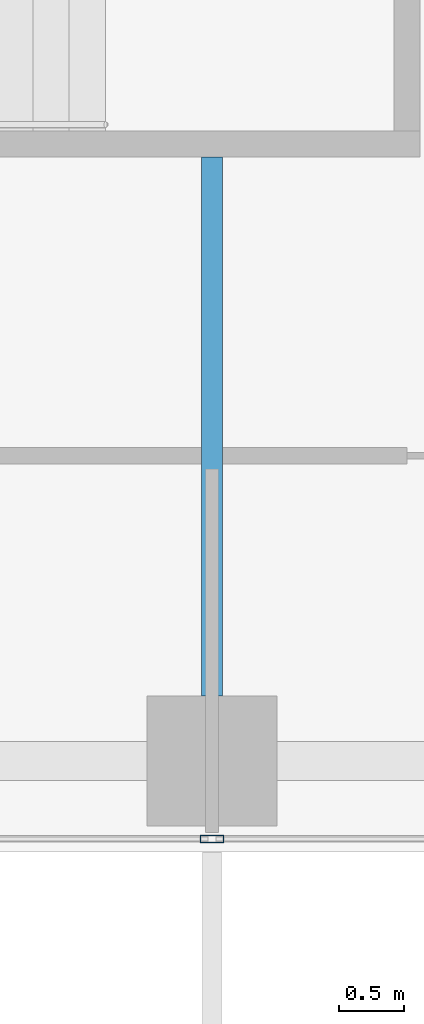
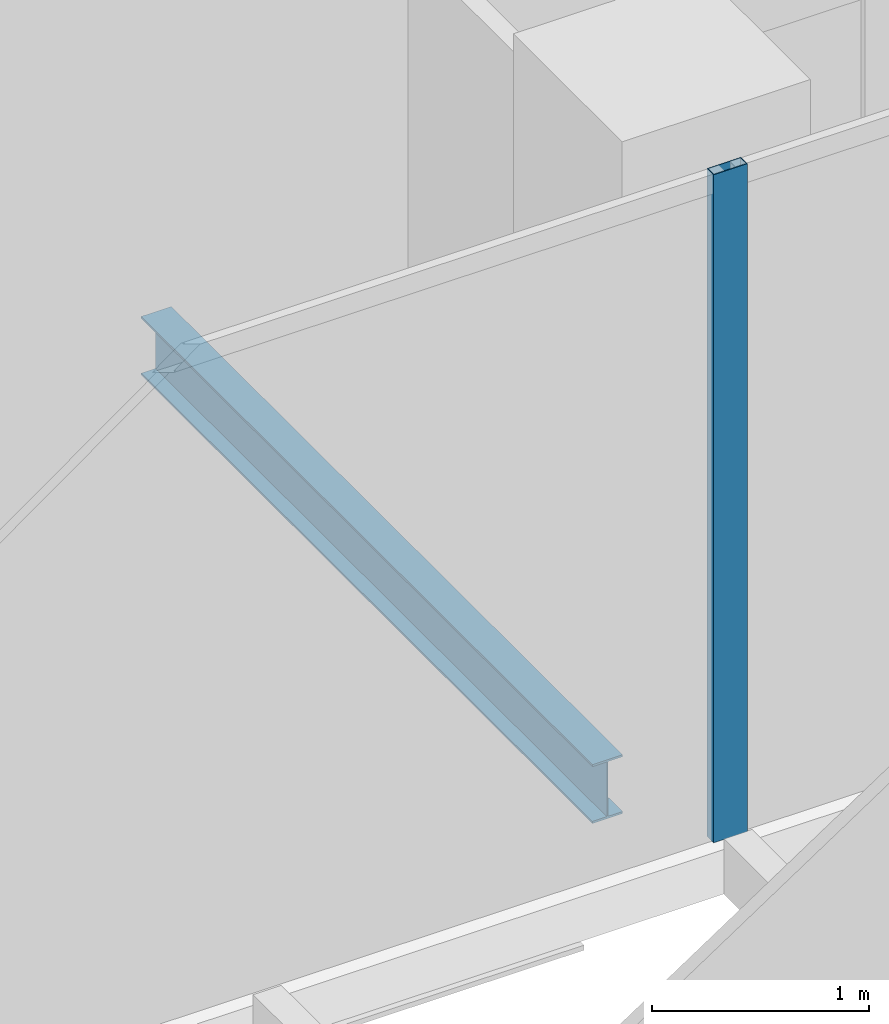
# One storey, part 5 of 35: 1 beam, 1 member, 1 element without a shape of its own.
"""IFC4 building model written with IfcOpenShell, lengths in metres."""

from ifc_helpers import new_model, si_unit, direction, frame, origin, origin_2d, place, context, subcontext, project, spatial, hollow_rectangle, i_section, extrude, source, transform, mapped, material, material_profile, profile_set, type_object, element, aggregate, save


model = new_model("IFC4")

# Units and contexts
model_context = context("Model", 3, precision=1e-05, world=origin(), true_north=direction((0.0, 1.0)))
body_context = subcontext(model_context, "Body", "Model", "MODEL_VIEW")
ifc_project = project(units=[si_unit("LENGTHUNIT", "METRE"), si_unit("AREAUNIT", "SQUARE_METRE"), si_unit("VOLUMEUNIT", "CUBIC_METRE"), si_unit("PLANEANGLEUNIT", "RADIAN"), si_unit("MASSUNIT", "GRAM", prefix="KILO")], contexts=[model_context])

# Site, building, storey
site_placement = place(None, origin())
site = spatial("IfcSite", under=ifc_project, at=site_placement, CompositionType="ELEMENT")
building_placement = place(site_placement, origin())
building = spatial("IfcBuilding", under=site, at=building_placement, Name="Khomas Fold Tower", CompositionType="ELEMENT")
storey_placement = place(building_placement, frame((0.0, 0.0, 212.699951171875)))
storey = spatial("IfcBuildingStorey", under=building, at=storey_placement, Name="L47", CompositionType="ELEMENT", Elevation=212.699951171875)

# Beam
ifc_material_1 = material(Name="Steel S355", Category="steel")
ifc_material_profile_1 = material_profile(ifc_material_1, i_section(OverallWidth=0.159912109375, OverallDepth=0.330078125, WebThickness=0.007568359375, FlangeThickness=0.011474609375, at=origin_2d()), Name="IPE 330")
ifc_profile_set_1 = profile_set([ifc_material_profile_1], Name="Steel S355")
beam_type = type_object("IfcBeamType", Name="IPE 330 beam JB1", PredefinedType="BEAM", material=ifc_profile_set_1)
shared_shape_1 = source(origin(), body_context, "Body", "SweptSolid", [
    extrude(i_section(OverallWidth=0.159912109375, OverallDepth=0.330078125, WebThickness=0.007568359375, FlangeThickness=0.011474609375, at=origin_2d()), origin(), (0.0, 0.0, 1.0), 4.150146484375),
])
beam_placement = place(storey_placement, frame((19.5, 4.199951171875, -0.4150390625), z_axis=(0.0, 1.0, 0.0), x_axis=(-1.0, 0.0, 0.0)))
element("IfcBeam", 1, at=beam_placement, inside=storey, type_object=beam_type, Name="JB1", PredefinedType="BEAM", context=body_context, shape_type="MappedRepresentation", body=[
    mapped(shared_shape_1, transform((0.0, 0.0, 0.0))),
])

# Curtain wall, member
ifc_material_2 = material(Name="Aluminium framed double glazing", Category="aluminium")
curtain_wall_type = type_object("IfcCurtainWallType", Name="SK-Unitised clear-glass wall, office floors CW2", PredefinedType="NOTDEFINED", material=ifc_material_2)
curtain_wall_placement = place(storey_placement, origin())
curtain_wall = element("IfcCurtainWall", 2, at=curtain_wall_placement, inside=storey, type_object=curtain_wall_type, Name="CW2 run L47 00-0", PredefinedType="NOTDEFINED")
ifc_material_3 = material(Name="Aluminium", Category="aluminium")
ifc_material_profile_2 = material_profile(ifc_material_3, hollow_rectangle(XDim=0.06005859375, YDim=0.179931640625, WallThickness=0.00390625, at=origin_2d()), Name="SK-Unitised clear-glass wall, office floors mullion CW2-M")
ifc_profile_set_2 = profile_set([ifc_material_profile_2], Name="Aluminium")
member_type = type_object("IfcMemberType", Name="SK-Unitised clear-glass wall, office floors mullion CW2-M", PredefinedType="MULLION", material=ifc_profile_set_2)
shared_shape_2 = source(origin(), body_context, "Body", "SweptSolid", [
    extrude(hollow_rectangle(XDim=0.06005859375, YDim=0.179931640625, WallThickness=0.00390625, at=origin_2d()), origin(), (0.0, 0.0, 1.0), 3.75),
])
member_placement = place(storey_placement, frame((19.5, 3.10009765625, 0.0), z_axis=(0.0, 0.0, 1.0), x_axis=(0.0, 1.0, 0.0)))
member = element("IfcMember", 3, at=member_placement, type_object=member_type, Name="CW2 mullion 4", PredefinedType="MULLION", context=body_context, shape_type="MappedRepresentation", body=[
    mapped(shared_shape_2, transform((0.0, 0.0, 0.0))),
])
aggregate(curtain_wall, [member])

save(model, "model.ifc")
